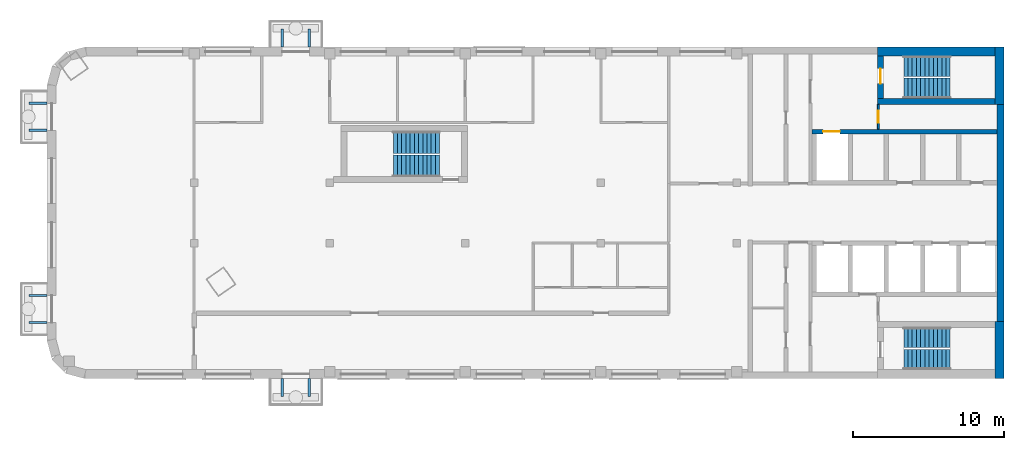
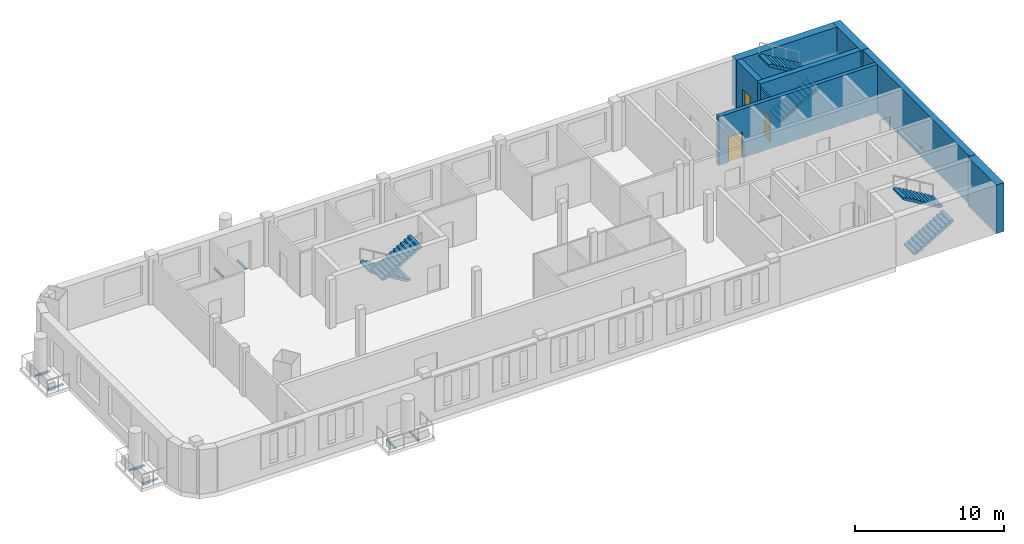
# One storey, part 4 of 7: 8 discrete accessories, 8 walls, 6 stair flights, 3 doors, 3 openings, 3 elements without a shape of their own.
"""IFC4 building model written with IfcOpenShell, lengths in metres."""

from ifc_helpers import new_model, si_unit, direction, frame, frame_2d, origin, origin_2d, place, context, subcontext, project, spatial, polyline, rectangle, outline, extrude, material, layer, layer_set, type_object, element, fill, aggregate, save


model = new_model("IFC4")

# Units and contexts
model_context = context("Model", 3, precision=1e-05, world=origin(), true_north=direction((0.0, 1.0)))
body_context = subcontext(model_context, "Body", "Model", "MODEL_VIEW")
ifc_project = project(units=[si_unit("LENGTHUNIT", "METRE"), si_unit("AREAUNIT", "SQUARE_METRE"), si_unit("VOLUMEUNIT", "CUBIC_METRE"), si_unit("PLANEANGLEUNIT", "RADIAN"), si_unit("MASSUNIT", "GRAM", prefix="KILO")], contexts=[model_context])

# Site, building, storey
site_placement = place(None, origin())
site = spatial("IfcSite", under=ifc_project, at=site_placement, CompositionType="ELEMENT")
building_placement = place(site_placement, origin())
building = spatial("IfcBuilding", under=site, at=building_placement, Name="Skarvind Civic Tower", CompositionType="ELEMENT")
storey_placement = place(building_placement, frame((0.0, 0.0, 241.5)))
storey = spatial("IfcBuildingStorey", under=building, at=storey_placement, Name="L57", CompositionType="ELEMENT", Elevation=241.5)

# Wall, opening, door
ifc_material_1 = material(Name="Concrete C60", Category="concrete")
ifc_layer_1 = layer(ifc_material_1, 0.300048828125)
ifc_layer_set_1 = layer_set([ifc_layer_1], Name="Core wall 300 C60")
wall_type_1 = type_object("IfcWallType", Name="Core wall 300 C60", PredefinedType="SHEAR", material=ifc_layer_set_1)
wall_1_placement = place(storey_placement, frame((107.550048828125, 133.39990234375, 0.0), z_axis=(0.0, 0.0, 1.0), x_axis=(-1.0, 0.0, 0.0)))
wall_1 = element("IfcWall", 1, at=wall_1_placement, inside=storey, type_object=wall_type_1, Name="Core wall C1 south lift row back L57", PredefinedType="SHEAR", context=body_context, shape_type="SweptSolid", body=[
    extrude(rectangle(XDim=12.300048828125, YDim=0.300048828125, at=frame_2d((6.14990234375, 0.0))), origin(), (0.0, 0.0, 1.0), 4.0),
])
opening_1_placement = place(wall_1_placement, frame((10.449951171875, 0.0, 0.0)))
opening_1 = element("IfcOpeningElement", 2, at=opening_1_placement, cuts=wall_1, Name="Opening LD59110", PredefinedType="OPENING", context=body_context, shape_type="SweptSolid", body=[
    extrude(rectangle(XDim=1.10009765625, YDim=2.10009765625, at=frame_2d((0.550048828125, 1.050048828125))), frame((0.0, 0.159912109375, 0.0), z_axis=(0.0, -1.0, 0.0), x_axis=(1.0, 0.0, 0.0)), (0.0, 0.0, 1.0), 0.320068359375),
])
ifc_material_2 = material(Name="Stainless steel landing door", Category="steel")
door_type_1 = type_object("IfcDoorType", Name="Lift landing door 1100", OperationType="DOUBLE_DOOR_SLIDING", PredefinedType="DOOR", material=ifc_material_2)
door_1_placement = place(opening_1_placement, origin())
door_1 = element("IfcDoor", 3, at=door_1_placement, inside=storey, type_object=door_type_1, Name="Lift landing door", OperationType="DOUBLE_DOOR_SLIDING", OverallHeight=2.10009765625, OverallWidth=1.10009765625, PredefinedType="DOOR", context=body_context, shape_type="SweptSolid", body=[
    extrude(rectangle(XDim=1.10009765625, YDim=2.10009765625, at=frame_2d((0.550048828125, 1.050048828125))), frame((0.0, 0.02490234375, 0.0), z_axis=(0.0, -1.0, 0.0), x_axis=(1.0, 0.0, 0.0)), (0.0, 0.0, 1.0), 0.050048828125),
])
fill(opening_1, door_1)

# Wall
ifc_layer_2 = layer(ifc_material_1, 0.39990234375)
ifc_layer_set_2 = layer_set([ifc_layer_2], Name="Core wall 400 C60")
wall_type_2 = type_object("IfcWallType", Name="Core wall 400 C60", PredefinedType="SHEAR", material=ifc_layer_set_2)
wall_2_placement = place(storey_placement, frame((107.39990234375, 135.39990234375, 0.0), z_axis=(0.0, 0.0, 1.0), x_axis=(-1.0, 0.0, 0.0)))
element("IfcWall", 4, at=wall_2_placement, inside=storey, type_object=wall_type_2, Name="Core wall C1 south stair inner L57", PredefinedType="SHEAR", context=body_context, shape_type="SweptSolid", body=[
    extrude(rectangle(XDim=7.7998046875, YDim=0.39990234375, at=frame_2d((3.89990234375, 0.0))), origin(), (0.0, 0.0, 1.0), 4.0),
])

# Wall, opening, door
wall_3_placement = place(storey_placement, frame((99.800048828125, 138.39990234375, 0.0), z_axis=(0.0, 0.0, 1.0), x_axis=(0.0, -1.0, 0.0)))
wall_3 = element("IfcWall", 5, at=wall_3_placement, inside=storey, type_object=wall_type_2, Name="Core wall C1 south stair end L57", PredefinedType="SHEAR", context=body_context, shape_type="SweptSolid", body=[
    extrude(rectangle(XDim=2.7998046875, YDim=0.39990234375, at=frame_2d((1.39990234375, 0.0))), origin(), (0.0, 0.0, 1.0), 4.0),
])
opening_2_placement = place(wall_3_placement, frame((0.824951171875, 0.0, 0.0)))
opening_2 = element("IfcOpeningElement", 6, at=opening_2_placement, cuts=wall_3, Name="Opening D-L57-C1-15", PredefinedType="OPENING", context=body_context, shape_type="SweptSolid", body=[
    extrude(rectangle(XDim=1.0, YDim=2.10009765625, at=frame_2d((0.5, 1.050048828125))), frame((0.0, 0.2099609375, 0.0), z_axis=(0.0, -1.0, 0.0), x_axis=(1.0, 0.0, 0.0)), (0.0, 0.0, 1.0), 0.419921875),
])
ifc_material_3 = material(Name="Fire-rated steel door", Category="steel")
door_type_2 = type_object("IfcDoorType", Name="Fire door 1000", OperationType="NOTDEFINED", PredefinedType="DOOR", material=ifc_material_3)
door_2_placement = place(opening_2_placement, origin())
door_2 = element("IfcDoor", 7, at=door_2_placement, inside=storey, type_object=door_type_2, Name="Fire door", OperationType="SINGLE_SWING_RIGHT", OverallHeight=2.10009765625, OverallWidth=1.0, PredefinedType="DOOR", context=body_context, shape_type="SweptSolid", body=[
    extrude(rectangle(XDim=1.0, YDim=2.10009765625, at=frame_2d((0.5, 1.050048828125))), frame((0.0, 0.02490234375, 0.0), z_axis=(0.0, -1.0, 0.0), x_axis=(1.0, 0.0, 0.0)), (0.0, 0.0, 1.0), 0.050048828125),
])
fill(opening_2, door_2)

# Walls
ifc_layer_3 = layer(ifc_material_1, 0.449951171875)
ifc_layer_set_3 = layer_set([ifc_layer_3], Name="Core wall 450 C60")
wall_type_3 = type_object("IfcWallType", Name="Core wall 450 C60", PredefinedType="SHEAR", material=ifc_layer_set_3)
wall_4_placement = place(storey_placement, frame((107.77490234375, 135.199951171875, 0.0), z_axis=(0.0, 0.0, 1.0), x_axis=(0.0, -1.0, 0.0)))
element("IfcWall", 8, at=wall_4_placement, inside=storey, type_object=wall_type_3, Name="Core wall C1 tip between the stairs L57", PredefinedType="SHEAR", context=body_context, shape_type="SweptSolid", body=[
    extrude(rectangle(XDim=14.39990234375, YDim=0.449951171875, at=frame_2d((7.199951171875, 0.0))), origin(), (0.0, 0.0, 1.0), 4.0),
])
ifc_layer_4 = layer(ifc_material_1, 0.60009765625)
ifc_layer_set_4 = layer_set([ifc_layer_4], Name="Core wall 600 C60")
wall_type_4 = type_object("IfcWallType", Name="Core wall 600 C60", PredefinedType="SHEAR", material=ifc_layer_set_4)
for number, where, z_axis, x_axis, name in (
    (9, (107.699951171875, 139.0, 0.0), (0.0, 0.0, 1.0), (0.0, -1.0, 0.0), "Core wall C1 tip at the south stair L57"),
    (10, (107.699951171875, 120.800048828125, 0.0), (0.0, 0.0, 1.0), (0.0, -1.0, 0.0), "Core wall C1 tip at the north stair L57"),
):
    element("IfcWall", number, at=place(storey_placement, frame(where, z_axis=z_axis, x_axis=x_axis)), inside=storey, type_object=wall_type_4, Name=name, PredefinedType="SHEAR", context=body_context, shape_type="SweptSolid", body=[
        extrude(rectangle(XDim=3.800048828125, YDim=0.60009765625, at=frame_2d((1.89990234375, 0.0))), origin(), (0.0, 0.0, 1.0), 4.0),
    ])
wall_5_placement = place(storey_placement, frame((107.39990234375, 138.699951171875, 0.0), z_axis=(0.0, 0.0, 1.0), x_axis=(-1.0, 0.0, 0.0)))
element("IfcWall", 11, at=wall_5_placement, inside=storey, type_object=wall_type_4, Name="Core wall C1 south side at the stair L57", PredefinedType="SHEAR", context=body_context, shape_type="SweptSolid", body=[
    extrude(rectangle(XDim=7.7998046875, YDim=0.60009765625, at=frame_2d((3.89990234375, 0.0))), origin(), (0.0, 0.0, 1.0), 4.0),
])

# Wall, opening, door
ifc_material_4 = material(Name="Fire-rated masonry partition", Category="masonry")
ifc_layer_5 = layer(ifc_material_4, 0.125)
ifc_layer_set_5 = layer_set([ifc_layer_5], Name="Riser wall 125")
wall_type_5 = type_object("IfcWallType", Name="Riser wall 125", PredefinedType="PARTITIONING", material=ifc_layer_set_5)
wall_6_placement = place(storey_placement, frame((99.66259765625, 133.550048828125, 0.0), z_axis=(0.0, 0.0, 1.0), x_axis=(0.0, 1.0, 0.0)))
wall_6 = element("IfcWall", 12, at=wall_6_placement, inside=storey, type_object=wall_type_5, Name="Core wall C1", PredefinedType="PARTITIONING", context=body_context, shape_type="SweptSolid", body=[
    extrude(rectangle(XDim=1.64990234375, YDim=0.125, at=frame_2d((0.824951171875, 0.0))), origin(), (0.0, 0.0, 1.0), 3.625),
])
opening_3_placement = place(wall_6_placement, frame((0.425048828125, 0.0, 0.0)))
opening_3 = element("IfcOpeningElement", 13, at=opening_3_placement, cuts=wall_6, Name="Opening D-L57-C1-16", PredefinedType="OPENING", context=body_context, shape_type="SweptSolid", body=[
    extrude(rectangle(XDim=0.800048828125, YDim=2.10009765625, at=frame_2d((0.39990234375, 1.050048828125))), frame((0.0, 0.072509765625, 0.0), z_axis=(0.0, -1.0, 0.0), x_axis=(1.0, 0.0, 0.0)), (0.0, 0.0, 1.0), 0.14501953125),
])
door_type_3 = type_object("IfcDoorType", Name="Core riser door 800", OperationType="NOTDEFINED", PredefinedType="DOOR", material=ifc_material_3)
door_3_placement = place(opening_3_placement, origin())
door_3 = element("IfcDoor", 14, at=door_3_placement, inside=storey, type_object=door_type_3, Name="Riser door", OperationType="SINGLE_SWING_LEFT", OverallHeight=2.10009765625, OverallWidth=0.800048828125, PredefinedType="DOOR", context=body_context, shape_type="SweptSolid", body=[
    extrude(rectangle(XDim=0.800048828125, YDim=2.10009765625, at=frame_2d((0.39990234375, 1.050048828125))), frame((0.0, 0.02490234375, 0.0), z_axis=(0.0, -1.0, 0.0), x_axis=(1.0, 0.0, 0.0)), (0.0, 0.0, 1.0), 0.050048828125),
])
fill(opening_3, door_3)

# Stair, stair flights
ifc_material_5 = material(Name="Concrete C40/50", Category="concrete")
stair_type_1 = type_object("IfcStairType", Name="Exit stair 1450, half-turn, concrete", PredefinedType="HALF_TURN_STAIR", material=ifc_material_5)
stair_1_placement = place(storey_placement, origin())
stair_1 = element("IfcStair", 15, at=stair_1_placement, inside=storey, type_object=stair_type_1, Name="Exit stair CM", PredefinedType="HALF_TURN_STAIR")
stair_flight_type_1 = type_object("IfcStairFlightType", Name="Stair flight 1450, concrete", PredefinedType="STRAIGHT", material=ifc_material_5)
stair_flight_1_placement = place(storey_placement, frame((70.550048828125, 132.675048828125, 0.0), z_axis=(0.0, 0.0, 1.0), x_axis=(-1.0, 0.0, 0.0)))
stair_flight_1 = element("IfcStairFlight", 16, at=stair_flight_1_placement, type_object=stair_flight_type_1, Name="ST-CM flight 1", NumberOfRisers=12, NumberOfTreads=11, PredefinedType="STRAIGHT", RiserHeight=0.166666667, TreadLength=0.28, context=body_context, shape_type="SweptSolid", body=[
    extrude(outline(polyline([(0.0, 0.0), (0.0, 0.166748046875), (0.280029296875, 0.166748046875), (0.280029296875, 0.333251953125), (0.56005859375, 0.333251953125), (0.56005859375, 0.5), (0.840087890625, 0.5), (0.840087890625, 0.666748046875), (1.1201171875, 0.666748046875), (1.1201171875, 0.833251953125), (1.39990234375, 0.833251953125), (1.39990234375, 1.0), (1.679931640625, 1.0), (1.679931640625, 1.166748046875), (1.9599609375, 1.166748046875), (1.9599609375, 1.333251953125), (2.239990234375, 1.333251953125), (2.239990234375, 1.5), (2.52001953125, 1.5), (2.52001953125, 1.666748046875), (2.800048828125, 1.666748046875), (2.800048828125, 1.833251953125), (3.080078125, 1.833251953125), (3.080078125, 2.0), (3.080078125, 1.658935546875), (0.29296875, 0.0), (0.0, 0.0)])), frame((0.0, 0.72509765625, 0.0), z_axis=(0.0, -1.0, 0.0), x_axis=(1.0, 0.0, 0.0)), (0.0, 0.0, 1.0), 1.449951171875),
])
stair_flight_2_placement = place(storey_placement, frame((67.469970703125, 131.125, 2.0), z_axis=(0.0, 0.0, 1.0), x_axis=(1.0, 0.0, 0.0)))
stair_flight_2 = element("IfcStairFlight", 17, at=stair_flight_2_placement, type_object=stair_flight_type_1, Name="ST-CM flight 2", NumberOfRisers=12, NumberOfTreads=11, PredefinedType="STRAIGHT", RiserHeight=0.166666667, TreadLength=0.28, context=body_context, shape_type="SweptSolid", body=[
    extrude(outline(polyline([(0.0, 0.0), (0.0, 0.166748046875), (0.280029296875, 0.166748046875), (0.280029296875, 0.333251953125), (0.56005859375, 0.333251953125), (0.56005859375, 0.5), (0.840087890625, 0.5), (0.840087890625, 0.666748046875), (1.1201171875, 0.666748046875), (1.1201171875, 0.833251953125), (1.39990234375, 0.833251953125), (1.39990234375, 1.0), (1.679931640625, 1.0), (1.679931640625, 1.166748046875), (1.9599609375, 1.166748046875), (1.9599609375, 1.333251953125), (2.239990234375, 1.333251953125), (2.239990234375, 1.5), (2.52001953125, 1.5), (2.52001953125, 1.666748046875), (2.800048828125, 1.666748046875), (2.800048828125, 1.833251953125), (3.080078125, 1.833251953125), (3.080078125, 2.0), (3.080078125, 1.658935546875), (0.29296875, 0.0), (0.0, 0.0)])), frame((0.0, 0.72509765625, 0.0), z_axis=(0.0, -1.0, 0.0), x_axis=(1.0, 0.0, 0.0)), (0.0, 0.0, 1.0), 1.449951171875),
])
aggregate(stair_1, [stair_flight_1, stair_flight_2])

stair_type_2 = type_object("IfcStairType", Name="Exit stair, half-turn, concrete", PredefinedType="HALF_TURN_STAIR", material=ifc_material_5)
stair_2_placement = place(storey_placement, origin())
stair_2 = element("IfcStair", 18, at=stair_2_placement, inside=storey, type_object=stair_type_2, Name="Exit stair C1S", PredefinedType="HALF_TURN_STAIR")
stair_flight_type_2 = type_object("IfcStairFlightType", Name="Stair flight, concrete", PredefinedType="STRAIGHT", material=ifc_material_5)
stair_flight_3_placement = place(storey_placement, frame((101.35009765625, 136.27490234375, 0.0), z_axis=(0.0, 0.0, 1.0), x_axis=(1.0, 0.0, 0.0)))
stair_flight_3 = element("IfcStairFlight", 19, at=stair_flight_3_placement, type_object=stair_flight_type_2, Name="ST-C1S flight 1", NumberOfRisers=12, NumberOfTreads=11, PredefinedType="STRAIGHT", RiserHeight=0.166666667, TreadLength=0.28, context=body_context, shape_type="SweptSolid", body=[
    extrude(outline(polyline([(0.0, 0.0), (0.0, 0.166748046875), (0.280029296875, 0.166748046875), (0.280029296875, 0.333251953125), (0.56005859375, 0.333251953125), (0.56005859375, 0.5), (0.840087890625, 0.5), (0.840087890625, 0.666748046875), (1.1201171875, 0.666748046875), (1.1201171875, 0.833251953125), (1.39990234375, 0.833251953125), (1.39990234375, 1.0), (1.679931640625, 1.0), (1.679931640625, 1.166748046875), (1.9599609375, 1.166748046875), (1.9599609375, 1.333251953125), (2.239990234375, 1.333251953125), (2.239990234375, 1.5), (2.52001953125, 1.5), (2.52001953125, 1.666748046875), (2.800048828125, 1.666748046875), (2.800048828125, 1.833251953125), (3.080078125, 1.833251953125), (3.080078125, 2.0), (3.080078125, 1.658935546875), (0.29296875, 0.0), (0.0, 0.0)])), frame((0.0, 0.675048828125, 0.0), z_axis=(0.0, -1.0, 0.0), x_axis=(1.0, 0.0, 0.0)), (0.0, 0.0, 1.0), 1.35009765625),
])
stair_flight_4_placement = place(storey_placement, frame((104.429931640625, 137.72509765625, 2.0), z_axis=(0.0, 0.0, 1.0), x_axis=(-1.0, 0.0, 0.0)))
stair_flight_4 = element("IfcStairFlight", 20, at=stair_flight_4_placement, type_object=stair_flight_type_2, Name="ST-C1S flight 2", NumberOfRisers=12, NumberOfTreads=11, PredefinedType="STRAIGHT", RiserHeight=0.166666667, TreadLength=0.28, context=body_context, shape_type="SweptSolid", body=[
    extrude(outline(polyline([(0.0, 0.0), (0.0, 0.166748046875), (0.280029296875, 0.166748046875), (0.280029296875, 0.333251953125), (0.56005859375, 0.333251953125), (0.56005859375, 0.5), (0.840087890625, 0.5), (0.840087890625, 0.666748046875), (1.1201171875, 0.666748046875), (1.1201171875, 0.833251953125), (1.39990234375, 0.833251953125), (1.39990234375, 1.0), (1.679931640625, 1.0), (1.679931640625, 1.166748046875), (1.9599609375, 1.166748046875), (1.9599609375, 1.333251953125), (2.239990234375, 1.333251953125), (2.239990234375, 1.5), (2.52001953125, 1.5), (2.52001953125, 1.666748046875), (2.800048828125, 1.666748046875), (2.800048828125, 1.833251953125), (3.080078125, 1.833251953125), (3.080078125, 2.0), (3.080078125, 1.658935546875), (0.29296875, 0.0), (0.0, 0.0)])), frame((0.0, 0.675048828125, 0.0), z_axis=(0.0, -1.0, 0.0), x_axis=(1.0, 0.0, 0.0)), (0.0, 0.0, 1.0), 1.35009765625),
])
aggregate(stair_2, [stair_flight_3, stair_flight_4])

stair_3_placement = place(storey_placement, origin())
stair_3 = element("IfcStair", 21, at=stair_3_placement, inside=storey, type_object=stair_type_2, Name="Exit stair C1N", PredefinedType="HALF_TURN_STAIR")
stair_flight_5_placement = place(storey_placement, frame((101.35009765625, 118.27490234375, 0.0), z_axis=(0.0, 0.0, 1.0), x_axis=(1.0, 0.0, 0.0)))
stair_flight_5 = element("IfcStairFlight", 22, at=stair_flight_5_placement, type_object=stair_flight_type_2, Name="ST-C1N flight 1", NumberOfRisers=12, NumberOfTreads=11, PredefinedType="STRAIGHT", RiserHeight=0.166666667, TreadLength=0.28, context=body_context, shape_type="SweptSolid", body=[
    extrude(outline(polyline([(0.0, 0.0), (0.0, 0.166748046875), (0.280029296875, 0.166748046875), (0.280029296875, 0.333251953125), (0.56005859375, 0.333251953125), (0.56005859375, 0.5), (0.840087890625, 0.5), (0.840087890625, 0.666748046875), (1.1201171875, 0.666748046875), (1.1201171875, 0.833251953125), (1.39990234375, 0.833251953125), (1.39990234375, 1.0), (1.679931640625, 1.0), (1.679931640625, 1.166748046875), (1.9599609375, 1.166748046875), (1.9599609375, 1.333251953125), (2.239990234375, 1.333251953125), (2.239990234375, 1.5), (2.52001953125, 1.5), (2.52001953125, 1.666748046875), (2.800048828125, 1.666748046875), (2.800048828125, 1.833251953125), (3.080078125, 1.833251953125), (3.080078125, 2.0), (3.080078125, 1.658935546875), (0.29296875, 0.0), (0.0, 0.0)])), frame((0.0, 0.675048828125, 0.0), z_axis=(0.0, -1.0, 0.0), x_axis=(1.0, 0.0, 0.0)), (0.0, 0.0, 1.0), 1.35009765625),
])
stair_flight_6_placement = place(storey_placement, frame((104.429931640625, 119.72509765625, 2.0), z_axis=(0.0, 0.0, 1.0), x_axis=(-1.0, 0.0, 0.0)))
stair_flight_6 = element("IfcStairFlight", 23, at=stair_flight_6_placement, type_object=stair_flight_type_2, Name="ST-C1N flight 2", NumberOfRisers=12, NumberOfTreads=11, PredefinedType="STRAIGHT", RiserHeight=0.166666667, TreadLength=0.28, context=body_context, shape_type="SweptSolid", body=[
    extrude(outline(polyline([(0.0, 0.0), (0.0, 0.166748046875), (0.280029296875, 0.166748046875), (0.280029296875, 0.333251953125), (0.56005859375, 0.333251953125), (0.56005859375, 0.5), (0.840087890625, 0.5), (0.840087890625, 0.666748046875), (1.1201171875, 0.666748046875), (1.1201171875, 0.833251953125), (1.39990234375, 0.833251953125), (1.39990234375, 1.0), (1.679931640625, 1.0), (1.679931640625, 1.166748046875), (1.9599609375, 1.166748046875), (1.9599609375, 1.333251953125), (2.239990234375, 1.333251953125), (2.239990234375, 1.5), (2.52001953125, 1.5), (2.52001953125, 1.666748046875), (2.800048828125, 1.666748046875), (2.800048828125, 1.833251953125), (3.080078125, 1.833251953125), (3.080078125, 2.0), (3.080078125, 1.658935546875), (0.29296875, 0.0), (0.0, 0.0)])), frame((0.0, 0.675048828125, 0.0), z_axis=(0.0, -1.0, 0.0), x_axis=(1.0, 0.0, 0.0)), (0.0, 0.0, 1.0), 1.35009765625),
])
aggregate(stair_3, [stair_flight_5, stair_flight_6])

# Discrete accessories
for number, where, z_axis, x_axis, name in (
    (24, (60.10009765625, 139.60009765625, -0.35009765625), (0.0, 0.0, 1.0), (1.0, 0.0, 0.0), "TREE BALCONY BRACKET"),
    (25, (61.89990234375, 139.60009765625, -0.35009765625), (0.0, 0.0, 1.0), (1.0, 0.0, 0.0), "TREE BALCONY BRACKET"),
    (26, (43.89990234375, 120.72509765625, -0.35009765625), (0.0, 0.0, 1.0), (0.0, 1.0, 0.0), "TREE BALCONY BRACKET"),
    (27, (43.89990234375, 122.52490234375, -0.35009765625), (0.0, 0.0, 1.0), (0.0, 1.0, 0.0), "TREE BALCONY BRACKET"),
    (28, (43.89990234375, 133.47509765625, -0.35009765625), (0.0, 0.0, 1.0), (0.0, 1.0, 0.0), "TREE BALCONY BRACKET"),
    (29, (43.89990234375, 135.27490234375, -0.35009765625), (0.0, 0.0, 1.0), (0.0, 1.0, 0.0), "TREE BALCONY BRACKET"),
    (30, (61.89990234375, 116.39990234375, -0.35009765625), (0.0, 0.0, 1.0), (-1.0, 0.0, 0.0), "TREE BALCONY BRACKET"),
    (31, (60.10009765625, 116.39990234375, -0.35009765625), (0.0, 0.0, 1.0), (-1.0, 0.0, 0.0), "TREE BALCONY BRACKET"),
):
    element("IfcDiscreteAccessory", number, at=place(storey_placement, frame(where, z_axis=z_axis, x_axis=x_axis)), inside=storey, Name=name, PredefinedType="BRACKET", context=body_context, shape_type="SweptSolid", body=[
        extrude(rectangle(XDim=0.14990234375, YDim=1.199951171875, at=origin_2d()), origin(), (0.0, 0.0, 1.0), 0.10009765625),
    ])

save(model, "model.ifc")
